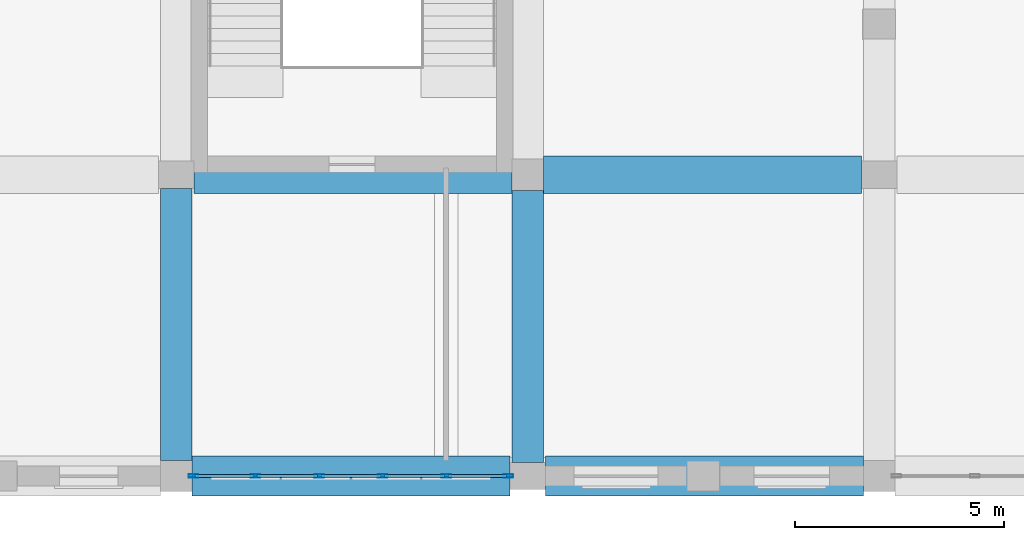
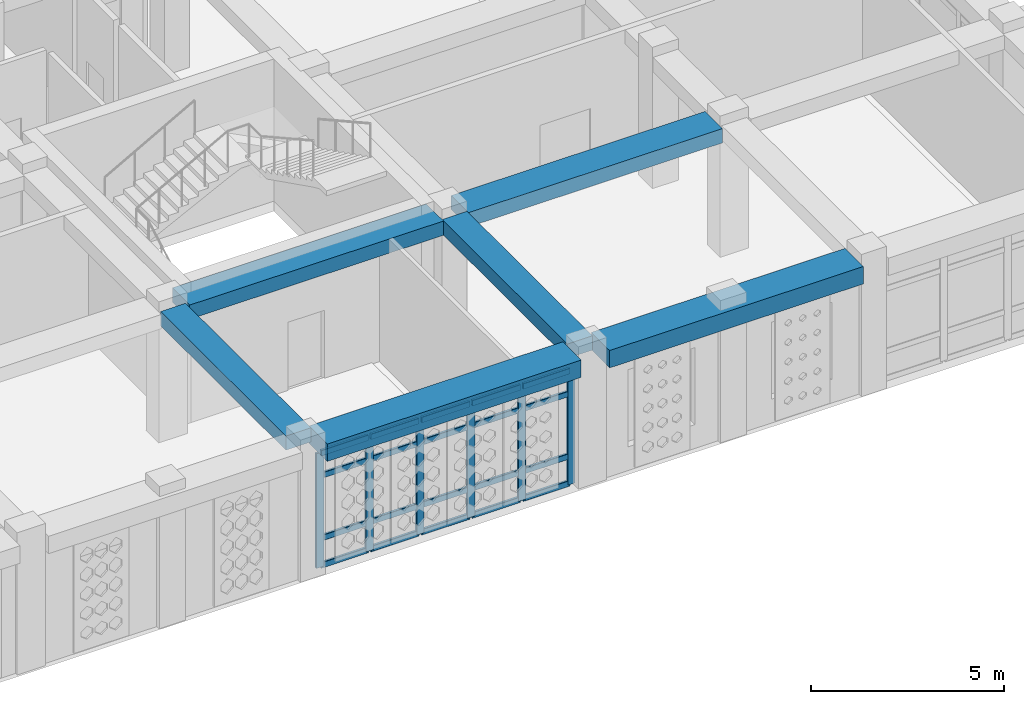
# One storey, part 7 of 121: 26 members, 6 beams, 1 element without a shape of its own.
"""IFC4 building model written with IfcOpenShell, lengths in metres."""

from ifc_helpers import new_model, si_unit, derived_unit, direction, frame, origin, origin_2d, place, context, subcontext, project, spatial, rectangle, hollow_rectangle, extrude, material, material_profile, profile_set, type_object, element, aggregate, save


model = new_model("IFC4")

# Units and contexts
model_context = context("Model", 3, precision=1e-05, world=origin(), true_north=direction((0.0, 1.0)))
body_context = subcontext(model_context, "Body", "Model", "MODEL_VIEW")
ifc_project = project(units=[si_unit("LENGTHUNIT", "METRE"), si_unit("AREAUNIT", "SQUARE_METRE"), si_unit("VOLUMEUNIT", "CUBIC_METRE"), si_unit("PLANEANGLEUNIT", "RADIAN"), si_unit("MASSUNIT", "GRAM", prefix="KILO"), derived_unit("THERMALTRANSMITTANCEUNIT", [(si_unit("POWERUNIT", "WATT"), 1), (si_unit("LENGTHUNIT", "METRE"), -2), (si_unit("THERMODYNAMICTEMPERATUREUNIT", "KELVIN"), -1)])], contexts=[model_context])

# Site, building, storey
site_placement = place(None, origin())
site = spatial("IfcSite", under=ifc_project, at=site_placement, CompositionType="ELEMENT")
building_placement = place(site_placement, origin())
building = spatial("IfcBuilding", under=site, at=building_placement, Name="Veybourne Emporium", CompositionType="ELEMENT")
storey_placement = place(building_placement, frame((0.0, 0.0, 5.39990234375)))
storey = spatial("IfcBuildingStorey", under=building, at=storey_placement, Name="L01", CompositionType="ELEMENT", Elevation=5.39990234375)

# Curtain wall, members
ifc_material_1 = material(Name="Patinated Architectural Bronze", Category="bronze")
curtain_wall_type = type_object("IfcCurtainWallType", Name="CWSystem_CWS-03", PredefinedType="NOTDEFINED", material=ifc_material_1)
curtain_wall_placement = place(storey_placement, origin())
curtain_wall = element("IfcCurtainWall", 1, at=curtain_wall_placement, inside=storey, type_object=curtain_wall_type, Name="L01 bronze glazed curtain wall CWS-03 (021)", PredefinedType="NOTDEFINED")
ifc_material_profile_1 = material_profile(ifc_material_1, hollow_rectangle(XDim=0.077880859375, YDim=0.235107421875, WallThickness=0.0048828125, InnerFilletRadius=0.007568359375, OuterFilletRadius=0.012451171875, at=origin_2d()), Name="CWM 78x235x5")
ifc_profile_set_1 = profile_set([ifc_material_profile_1], Name="Patinated Architectural Bronze")
member_type_1 = type_object("IfcMemberType", Name="CWMullion_CW-M3", PredefinedType="MULLION", material=ifc_profile_set_1)
member_1_placement = place(storey_placement, frame((41.535888671875, 0.0, 0.0), z_axis=(0.0, 0.0, 1.0), x_axis=(0.0, -1.0, 0.0)))
member_1 = element("IfcMember", 2, at=member_1_placement, type_object=member_type_1, Name="CWS-03 mullion 1", PredefinedType="MULLION", context=body_context, shape_type="SweptSolid", body=[
    extrude(hollow_rectangle(XDim=0.077880859375, YDim=0.235107421875, WallThickness=0.0048828125, InnerFilletRadius=0.007568359375, OuterFilletRadius=0.012451171875, at=origin_2d()), origin(), (0.0, 0.0, 1.0), 3.630126953125),
])
member_2_placement = place(storey_placement, frame((40.054931640625, 0.0, 0.0), z_axis=(0.0, 0.0, 1.0), x_axis=(0.0, -1.0, 0.0)))
member_2 = element("IfcMember", 3, at=member_2_placement, type_object=member_type_1, Name="CWS-03 mullion 2", PredefinedType="MULLION", context=body_context, shape_type="SweptSolid", body=[
    extrude(hollow_rectangle(XDim=0.077880859375, YDim=0.235107421875, WallThickness=0.0048828125, InnerFilletRadius=0.007568359375, OuterFilletRadius=0.012451171875, at=origin_2d()), origin(), (0.0, 0.0, 1.0), 3.630126953125),
])
member_3_placement = place(storey_placement, frame((38.534912109375, 0.0, 0.0), z_axis=(0.0, 0.0, 1.0), x_axis=(0.0, -1.0, 0.0)))
member_3 = element("IfcMember", 4, at=member_3_placement, type_object=member_type_1, Name="CWS-03 mullion 3", PredefinedType="MULLION", context=body_context, shape_type="SweptSolid", body=[
    extrude(hollow_rectangle(XDim=0.077880859375, YDim=0.235107421875, WallThickness=0.0048828125, InnerFilletRadius=0.007568359375, OuterFilletRadius=0.012451171875, at=origin_2d()), origin(), (0.0, 0.0, 1.0), 3.630126953125),
])
member_4_placement = place(storey_placement, frame((37.014892578125, 0.0, 0.0), z_axis=(0.0, 0.0, 1.0), x_axis=(0.0, -1.0, 0.0)))
member_4 = element("IfcMember", 5, at=member_4_placement, type_object=member_type_1, Name="CWS-03 mullion 4", PredefinedType="MULLION", context=body_context, shape_type="SweptSolid", body=[
    extrude(hollow_rectangle(XDim=0.077880859375, YDim=0.235107421875, WallThickness=0.0048828125, InnerFilletRadius=0.007568359375, OuterFilletRadius=0.012451171875, at=origin_2d()), origin(), (0.0, 0.0, 1.0), 3.630126953125),
])
member_5_placement = place(storey_placement, frame((35.4951171875, 0.0, 0.0), z_axis=(0.0, 0.0, 1.0), x_axis=(0.0, -1.0, 0.0)))
member_5 = element("IfcMember", 6, at=member_5_placement, type_object=member_type_1, Name="CWS-03 mullion 5", PredefinedType="MULLION", context=body_context, shape_type="SweptSolid", body=[
    extrude(hollow_rectangle(XDim=0.077880859375, YDim=0.235107421875, WallThickness=0.0048828125, InnerFilletRadius=0.007568359375, OuterFilletRadius=0.012451171875, at=origin_2d()), origin(), (0.0, 0.0, 1.0), 3.630126953125),
])
member_6_placement = place(storey_placement, frame((34.013916015625, 0.0, 0.0), z_axis=(0.0, 0.0, 1.0), x_axis=(0.0, -1.0, 0.0)))
member_6 = element("IfcMember", 7, at=member_6_placement, type_object=member_type_1, Name="CWS-03 mullion 6", PredefinedType="MULLION", context=body_context, shape_type="SweptSolid", body=[
    extrude(hollow_rectangle(XDim=0.077880859375, YDim=0.235107421875, WallThickness=0.0048828125, InnerFilletRadius=0.007568359375, OuterFilletRadius=0.012451171875, at=origin_2d()), origin(), (0.0, 0.0, 1.0), 3.630126953125),
])
ifc_material_profile_2 = material_profile(ifc_material_1, hollow_rectangle(XDim=0.077880859375, YDim=0.18505859375, WallThickness=0.0048828125, InnerFilletRadius=0.007568359375, OuterFilletRadius=0.012451171875, at=origin_2d()), Name="CWT 78x185x5")
ifc_profile_set_2 = profile_set([ifc_material_profile_2], Name="Patinated Architectural Bronze")
member_type_2 = type_object("IfcMemberType", Name="CWTransom_CW-T3", PredefinedType="NOTDEFINED", material=ifc_profile_set_2)
member_7_placement = place(storey_placement, frame((41.4970703125, 0.0, 0.0390625), z_axis=(-1.0, 0.0, 0.0), x_axis=(0.0, -1.0, 0.0)))
member_7 = element("IfcMember", 8, at=member_7_placement, type_object=member_type_2, Name="CWS-03 transom 1.1", ObjectType="TRANSOM", PredefinedType="USERDEFINED", context=body_context, shape_type="SweptSolid", body=[
    extrude(hollow_rectangle(XDim=0.077880859375, YDim=0.18505859375, WallThickness=0.0048828125, InnerFilletRadius=0.007568359375, OuterFilletRadius=0.012451171875, at=origin_2d()), origin(), (0.0, 0.0, 1.0), 1.403076171875),
])
member_8_placement = place(storey_placement, frame((41.4970703125, 0.0, 0.900146484375), z_axis=(-1.0, 0.0, 0.0), x_axis=(0.0, -1.0, 0.0)))
member_8 = element("IfcMember", 9, at=member_8_placement, type_object=member_type_2, Name="CWS-03 transom 1.2", ObjectType="TRANSOM", PredefinedType="USERDEFINED", context=body_context, shape_type="SweptSolid", body=[
    extrude(hollow_rectangle(XDim=0.077880859375, YDim=0.18505859375, WallThickness=0.0048828125, InnerFilletRadius=0.007568359375, OuterFilletRadius=0.012451171875, at=origin_2d()), origin(), (0.0, 0.0, 1.0), 1.403076171875),
])
member_9_placement = place(storey_placement, frame((41.4970703125, 0.0, 2.880126953125), z_axis=(-1.0, 0.0, 0.0), x_axis=(0.0, -1.0, 0.0)))
member_9 = element("IfcMember", 10, at=member_9_placement, type_object=member_type_2, Name="CWS-03 transom 1.3", ObjectType="TRANSOM", PredefinedType="USERDEFINED", context=body_context, shape_type="SweptSolid", body=[
    extrude(hollow_rectangle(XDim=0.077880859375, YDim=0.18505859375, WallThickness=0.0048828125, InnerFilletRadius=0.007568359375, OuterFilletRadius=0.012451171875, at=origin_2d()), origin(), (0.0, 0.0, 1.0), 1.403076171875),
])
member_10_placement = place(storey_placement, frame((41.4970703125, 0.0, 3.591064453125), z_axis=(-1.0, 0.0, 0.0), x_axis=(0.0, -1.0, 0.0)))
member_10 = element("IfcMember", 11, at=member_10_placement, type_object=member_type_2, Name="CWS-03 transom 1.4", ObjectType="TRANSOM", PredefinedType="USERDEFINED", context=body_context, shape_type="SweptSolid", body=[
    extrude(hollow_rectangle(XDim=0.077880859375, YDim=0.18505859375, WallThickness=0.0048828125, InnerFilletRadius=0.007568359375, OuterFilletRadius=0.012451171875, at=origin_2d()), origin(), (0.0, 0.0, 1.0), 1.403076171875),
])
member_11_placement = place(storey_placement, frame((40.01611328125, 0.0, 0.0390625), z_axis=(-1.0, 0.0, 0.0), x_axis=(0.0, -1.0, 0.0)))
member_11 = element("IfcMember", 12, at=member_11_placement, type_object=member_type_2, Name="CWS-03 transom 2.1", ObjectType="TRANSOM", PredefinedType="USERDEFINED", context=body_context, shape_type="SweptSolid", body=[
    extrude(hollow_rectangle(XDim=0.077880859375, YDim=0.18505859375, WallThickness=0.0048828125, InnerFilletRadius=0.007568359375, OuterFilletRadius=0.012451171875, at=origin_2d()), origin(), (0.0, 0.0, 1.0), 1.442138671875),
])
member_12_placement = place(storey_placement, frame((40.01611328125, 0.0, 0.900146484375), z_axis=(-1.0, 0.0, 0.0), x_axis=(0.0, -1.0, 0.0)))
member_12 = element("IfcMember", 13, at=member_12_placement, type_object=member_type_2, Name="CWS-03 transom 2.2", ObjectType="TRANSOM", PredefinedType="USERDEFINED", context=body_context, shape_type="SweptSolid", body=[
    extrude(hollow_rectangle(XDim=0.077880859375, YDim=0.18505859375, WallThickness=0.0048828125, InnerFilletRadius=0.007568359375, OuterFilletRadius=0.012451171875, at=origin_2d()), origin(), (0.0, 0.0, 1.0), 1.442138671875),
])
member_13_placement = place(storey_placement, frame((40.01611328125, 0.0, 2.880126953125), z_axis=(-1.0, 0.0, 0.0), x_axis=(0.0, -1.0, 0.0)))
member_13 = element("IfcMember", 14, at=member_13_placement, type_object=member_type_2, Name="CWS-03 transom 2.3", ObjectType="TRANSOM", PredefinedType="USERDEFINED", context=body_context, shape_type="SweptSolid", body=[
    extrude(hollow_rectangle(XDim=0.077880859375, YDim=0.18505859375, WallThickness=0.0048828125, InnerFilletRadius=0.007568359375, OuterFilletRadius=0.012451171875, at=origin_2d()), origin(), (0.0, 0.0, 1.0), 1.442138671875),
])
member_14_placement = place(storey_placement, frame((40.01611328125, 0.0, 3.591064453125), z_axis=(-1.0, 0.0, 0.0), x_axis=(0.0, -1.0, 0.0)))
member_14 = element("IfcMember", 15, at=member_14_placement, type_object=member_type_2, Name="CWS-03 transom 2.4", ObjectType="TRANSOM", PredefinedType="USERDEFINED", context=body_context, shape_type="SweptSolid", body=[
    extrude(hollow_rectangle(XDim=0.077880859375, YDim=0.18505859375, WallThickness=0.0048828125, InnerFilletRadius=0.007568359375, OuterFilletRadius=0.012451171875, at=origin_2d()), origin(), (0.0, 0.0, 1.0), 1.442138671875),
])
member_15_placement = place(storey_placement, frame((38.49609375, 0.0, 0.0390625), z_axis=(-1.0, 0.0, 0.0), x_axis=(0.0, -1.0, 0.0)))
member_15 = element("IfcMember", 16, at=member_15_placement, type_object=member_type_2, Name="CWS-03 transom 3.1", ObjectType="TRANSOM", PredefinedType="USERDEFINED", context=body_context, shape_type="SweptSolid", body=[
    extrude(hollow_rectangle(XDim=0.077880859375, YDim=0.18505859375, WallThickness=0.0048828125, InnerFilletRadius=0.007568359375, OuterFilletRadius=0.012451171875, at=origin_2d()), origin(), (0.0, 0.0, 1.0), 1.442138671875),
])
member_16_placement = place(storey_placement, frame((38.49609375, 0.0, 0.900146484375), z_axis=(-1.0, 0.0, 0.0), x_axis=(0.0, -1.0, 0.0)))
member_16 = element("IfcMember", 17, at=member_16_placement, type_object=member_type_2, Name="CWS-03 transom 3.2", ObjectType="TRANSOM", PredefinedType="USERDEFINED", context=body_context, shape_type="SweptSolid", body=[
    extrude(hollow_rectangle(XDim=0.077880859375, YDim=0.18505859375, WallThickness=0.0048828125, InnerFilletRadius=0.007568359375, OuterFilletRadius=0.012451171875, at=origin_2d()), origin(), (0.0, 0.0, 1.0), 1.442138671875),
])
member_17_placement = place(storey_placement, frame((38.49609375, 0.0, 2.880126953125), z_axis=(-1.0, 0.0, 0.0), x_axis=(0.0, -1.0, 0.0)))
member_17 = element("IfcMember", 18, at=member_17_placement, type_object=member_type_2, Name="CWS-03 transom 3.3", ObjectType="TRANSOM", PredefinedType="USERDEFINED", context=body_context, shape_type="SweptSolid", body=[
    extrude(hollow_rectangle(XDim=0.077880859375, YDim=0.18505859375, WallThickness=0.0048828125, InnerFilletRadius=0.007568359375, OuterFilletRadius=0.012451171875, at=origin_2d()), origin(), (0.0, 0.0, 1.0), 1.442138671875),
])
member_18_placement = place(storey_placement, frame((38.49609375, 0.0, 3.591064453125), z_axis=(-1.0, 0.0, 0.0), x_axis=(0.0, -1.0, 0.0)))
member_18 = element("IfcMember", 19, at=member_18_placement, type_object=member_type_2, Name="CWS-03 transom 3.4", ObjectType="TRANSOM", PredefinedType="USERDEFINED", context=body_context, shape_type="SweptSolid", body=[
    extrude(hollow_rectangle(XDim=0.077880859375, YDim=0.18505859375, WallThickness=0.0048828125, InnerFilletRadius=0.007568359375, OuterFilletRadius=0.012451171875, at=origin_2d()), origin(), (0.0, 0.0, 1.0), 1.442138671875),
])
member_19_placement = place(storey_placement, frame((36.97607421875, 0.0, 0.0390625), z_axis=(-1.0, 0.0, 0.0), x_axis=(0.0, -1.0, 0.0)))
member_19 = element("IfcMember", 20, at=member_19_placement, type_object=member_type_2, Name="CWS-03 transom 4.1", ObjectType="TRANSOM", PredefinedType="USERDEFINED", context=body_context, shape_type="SweptSolid", body=[
    extrude(hollow_rectangle(XDim=0.077880859375, YDim=0.18505859375, WallThickness=0.0048828125, InnerFilletRadius=0.007568359375, OuterFilletRadius=0.012451171875, at=origin_2d()), origin(), (0.0, 0.0, 1.0), 1.442138671875),
])
member_20_placement = place(storey_placement, frame((36.97607421875, 0.0, 0.900146484375), z_axis=(-1.0, 0.0, 0.0), x_axis=(0.0, -1.0, 0.0)))
member_20 = element("IfcMember", 21, at=member_20_placement, type_object=member_type_2, Name="CWS-03 transom 4.2", ObjectType="TRANSOM", PredefinedType="USERDEFINED", context=body_context, shape_type="SweptSolid", body=[
    extrude(hollow_rectangle(XDim=0.077880859375, YDim=0.18505859375, WallThickness=0.0048828125, InnerFilletRadius=0.007568359375, OuterFilletRadius=0.012451171875, at=origin_2d()), origin(), (0.0, 0.0, 1.0), 1.442138671875),
])
member_21_placement = place(storey_placement, frame((36.97607421875, 0.0, 2.880126953125), z_axis=(-1.0, 0.0, 0.0), x_axis=(0.0, -1.0, 0.0)))
member_21 = element("IfcMember", 22, at=member_21_placement, type_object=member_type_2, Name="CWS-03 transom 4.3", ObjectType="TRANSOM", PredefinedType="USERDEFINED", context=body_context, shape_type="SweptSolid", body=[
    extrude(hollow_rectangle(XDim=0.077880859375, YDim=0.18505859375, WallThickness=0.0048828125, InnerFilletRadius=0.007568359375, OuterFilletRadius=0.012451171875, at=origin_2d()), origin(), (0.0, 0.0, 1.0), 1.442138671875),
])
member_22_placement = place(storey_placement, frame((36.97607421875, 0.0, 3.591064453125), z_axis=(-1.0, 0.0, 0.0), x_axis=(0.0, -1.0, 0.0)))
member_22 = element("IfcMember", 23, at=member_22_placement, type_object=member_type_2, Name="CWS-03 transom 4.4", ObjectType="TRANSOM", PredefinedType="USERDEFINED", context=body_context, shape_type="SweptSolid", body=[
    extrude(hollow_rectangle(XDim=0.077880859375, YDim=0.18505859375, WallThickness=0.0048828125, InnerFilletRadius=0.007568359375, OuterFilletRadius=0.012451171875, at=origin_2d()), origin(), (0.0, 0.0, 1.0), 1.442138671875),
])
member_23_placement = place(storey_placement, frame((35.4560546875, 0.0, 0.0390625), z_axis=(-1.0, 0.0, 0.0), x_axis=(0.0, -1.0, 0.0)))
member_23 = element("IfcMember", 24, at=member_23_placement, type_object=member_type_2, Name="CWS-03 transom 5.1", ObjectType="TRANSOM", PredefinedType="USERDEFINED", context=body_context, shape_type="SweptSolid", body=[
    extrude(hollow_rectangle(XDim=0.077880859375, YDim=0.18505859375, WallThickness=0.0048828125, InnerFilletRadius=0.007568359375, OuterFilletRadius=0.012451171875, at=origin_2d()), origin(), (0.0, 0.0, 1.0), 1.403076171875),
])
member_24_placement = place(storey_placement, frame((35.4560546875, 0.0, 0.900146484375), z_axis=(-1.0, 0.0, 0.0), x_axis=(0.0, -1.0, 0.0)))
member_24 = element("IfcMember", 25, at=member_24_placement, type_object=member_type_2, Name="CWS-03 transom 5.2", ObjectType="TRANSOM", PredefinedType="USERDEFINED", context=body_context, shape_type="SweptSolid", body=[
    extrude(hollow_rectangle(XDim=0.077880859375, YDim=0.18505859375, WallThickness=0.0048828125, InnerFilletRadius=0.007568359375, OuterFilletRadius=0.012451171875, at=origin_2d()), origin(), (0.0, 0.0, 1.0), 1.403076171875),
])
member_25_placement = place(storey_placement, frame((35.4560546875, 0.0, 2.880126953125), z_axis=(-1.0, 0.0, 0.0), x_axis=(0.0, -1.0, 0.0)))
member_25 = element("IfcMember", 26, at=member_25_placement, type_object=member_type_2, Name="CWS-03 transom 5.3", ObjectType="TRANSOM", PredefinedType="USERDEFINED", context=body_context, shape_type="SweptSolid", body=[
    extrude(hollow_rectangle(XDim=0.077880859375, YDim=0.18505859375, WallThickness=0.0048828125, InnerFilletRadius=0.007568359375, OuterFilletRadius=0.012451171875, at=origin_2d()), origin(), (0.0, 0.0, 1.0), 1.403076171875),
])
member_26_placement = place(storey_placement, frame((35.4560546875, 0.0, 3.591064453125), z_axis=(-1.0, 0.0, 0.0), x_axis=(0.0, -1.0, 0.0)))
member_26 = element("IfcMember", 27, at=member_26_placement, type_object=member_type_2, Name="CWS-03 transom 5.4", ObjectType="TRANSOM", PredefinedType="USERDEFINED", context=body_context, shape_type="SweptSolid", body=[
    extrude(hollow_rectangle(XDim=0.077880859375, YDim=0.18505859375, WallThickness=0.0048828125, InnerFilletRadius=0.007568359375, OuterFilletRadius=0.012451171875, at=origin_2d()), origin(), (0.0, 0.0, 1.0), 1.403076171875),
])
aggregate(curtain_wall, [member_1, member_2, member_3, member_4, member_5, member_6, member_7, member_8, member_9, member_10, member_11, member_12, member_13, member_14, member_15, member_16, member_17, member_18, member_19, member_20, member_21, member_22, member_23, member_24, member_25, member_26])

# Beams
ifc_material_2 = material(Name="Concrete C32/40", Category="concrete")
ifc_material_profile_3 = material_profile(ifc_material_2, rectangle(XDim=0.89990234375, YDim=0.449951171875, at=origin_2d()), Name="RC 900x450")
ifc_profile_set_3 = profile_set([ifc_material_profile_3], Name="Concrete C32/40")
beam_type_1 = type_object("IfcBeamType", Name="RCBeam_BB-03", PredefinedType="BEAM", material=ifc_profile_set_3)
for number, where, z_axis, x_axis, name in (
    (28, (34.02490234375, 7.199951171875, 3.955078125), (1.0, 0.0, 0.0), (0.0, 1.0, 0.0), "L01 X-grid beam BB-03 (4,1)"),
    (29, (42.375, 7.199951171875, 3.955078125), (1.0, 0.0, 0.0), (0.0, 1.0, 0.0), "L01 X-grid beam BB-03 (5,1)"),
):
    element("IfcBeam", number, at=place(storey_placement, frame(where, z_axis=z_axis, x_axis=x_axis)), inside=storey, type_object=beam_type_1, Name=name, PredefinedType="BEAM", context=body_context, shape_type="SweptSolid", body=[
        extrude(rectangle(XDim=0.89990234375, YDim=0.449951171875, at=origin_2d()), origin(), (0.0, 0.0, 1.0), 7.60009765625),
    ])
ifc_material_profile_4 = material_profile(ifc_material_2, rectangle(XDim=0.75, YDim=0.449951171875, at=origin_2d()), Name="RC 750x450")
ifc_profile_set_4 = profile_set([ifc_material_profile_4], Name="Concrete C32/40")
beam_type_2 = type_object("IfcBeamType", Name="RCBeam_BB-04", PredefinedType="BEAM", material=ifc_profile_set_4)
for number, where, z_axis, x_axis, name in (
    (30, (33.60009765625, 0.375, 3.955078125), (0.0, 1.0, 0.0), (-1.0, 0.0, 0.0), "L01 Y-grid beam BB-04 (4,0)"),
    (31, (42.0, 0.324951171875, 3.955078125), (0.0, 1.0, 0.0), (-1.0, 0.0, 0.0), "L01 Y-grid beam BB-04 (5,0)"),
):
    element("IfcBeam", number, at=place(storey_placement, frame(where, z_axis=z_axis, x_axis=x_axis)), inside=storey, type_object=beam_type_2, Name=name, PredefinedType="BEAM", context=body_context, shape_type="SweptSolid", body=[
        extrude(rectangle(XDim=0.75, YDim=0.449951171875, at=origin_2d()), origin(), (0.0, 0.0, 1.0), 6.5),
    ])
ifc_material_profile_5 = material_profile(ifc_material_2, rectangle(XDim=0.949951171875, YDim=0.550048828125, at=origin_2d()), Name="RC 950x550")
ifc_profile_set_5 = profile_set([ifc_material_profile_5], Name="Concrete C32/40")
beam_type_3 = type_object("IfcBeamType", Name="RCBeam_EB-01", PredefinedType="SPANDREL", material=ifc_profile_set_5)
for number, where, z_axis, x_axis, name in (
    (32, (33.97509765625, 0.0, 3.905029296875), (1.0, 0.0, 0.0), (0.0, 1.0, 0.0), "L01 X-grid beam EB-01 (4,0)"),
    (33, (42.425048828125, 0.0, 3.905029296875), (1.0, 0.0, 0.0), (0.0, 1.0, 0.0), "L01 X-grid beam EB-01 (5,0)"),
):
    element("IfcBeam", number, at=place(storey_placement, frame(where, z_axis=z_axis, x_axis=x_axis)), inside=storey, type_object=beam_type_3, Name=name, PredefinedType="SPANDREL", context=body_context, shape_type="SweptSolid", body=[
        extrude(rectangle(XDim=0.949951171875, YDim=0.550048828125, at=origin_2d()), origin(), (0.0, 0.0, 1.0), 7.599853515625),
    ])

save(model, "model.ifc")
